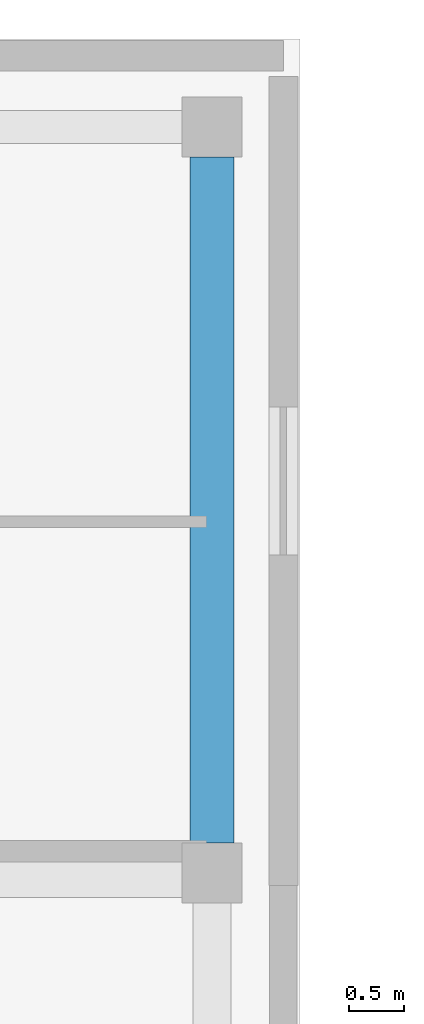
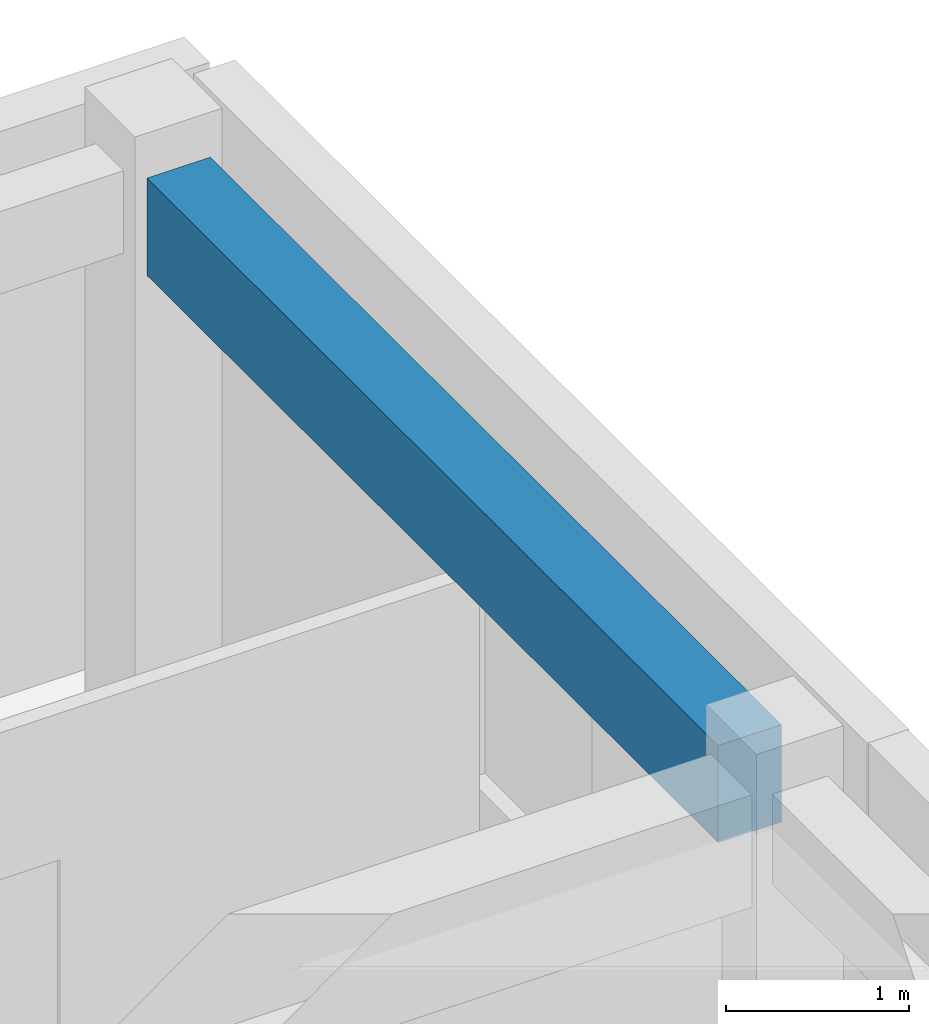
# One storey, part 63 of 146: 1 beam.
"""IFC4 building model written with IfcOpenShell, lengths in metres."""

from ifc_helpers import new_model, si_unit, direction, frame, origin, origin_2d, place, context, subcontext, project, spatial, rectangle, extrude, material, material_profile, profile_set, type_object, element, save


model = new_model("IFC4")

# Units and contexts
model_context = context("Model", 3, precision=1e-05, world=origin(), true_north=direction((0.0, 1.0)))
body_context = subcontext(model_context, "Body", "Model", "MODEL_VIEW")
ifc_project = project(units=[si_unit("LENGTHUNIT", "METRE"), si_unit("AREAUNIT", "SQUARE_METRE"), si_unit("VOLUMEUNIT", "CUBIC_METRE"), si_unit("PLANEANGLEUNIT", "RADIAN"), si_unit("MASSUNIT", "GRAM", prefix="KILO")], contexts=[model_context])

# Site, building, storey
site_placement = place(None, origin())
site = spatial("IfcSite", under=ifc_project, at=site_placement, CompositionType="ELEMENT")
building_placement = place(site_placement, origin())
building = spatial("IfcBuilding", under=site, at=building_placement, Name="Valcora Specialist Clinic", CompositionType="ELEMENT")
storey_placement = place(building_placement, frame((0.0, 0.0, 9.52001953125)))
storey = spatial("IfcBuildingStorey", under=building, at=storey_placement, Name="L02", CompositionType="ELEMENT", Elevation=9.52001953125)

# Beam
ifc_material = material(Name="Concrete C40/50", Category="concrete")
ifc_material_profile = material_profile(ifc_material, rectangle(XDim=0.39990234375, YDim=0.64990234375, at=origin_2d()), Name="RC-BM-400X650")
ifc_profile_set = profile_set([ifc_material_profile], Name="Concrete C40/50")
beam_type = type_object("IfcBeamType", Name="TY-BM-RC400X650", PredefinedType="BEAM", material=ifc_profile_set)
beam_placement = place(storey_placement, frame((115.0, 15.47509765625, 3.455078125), z_axis=(0.0, 1.0, 0.0), x_axis=(-1.0, 0.0, 0.0)))
element("IfcBeam", 1, at=beam_placement, inside=storey, type_object=beam_type, Name="Beam BM-L02-1417", PredefinedType="BEAM", context=body_context, shape_type="SweptSolid", body=[
    extrude(rectangle(XDim=0.39990234375, YDim=0.64990234375, at=origin_2d()), origin(), (0.0, 0.0, 1.0), 6.25),
])

save(model, "model.ifc")
